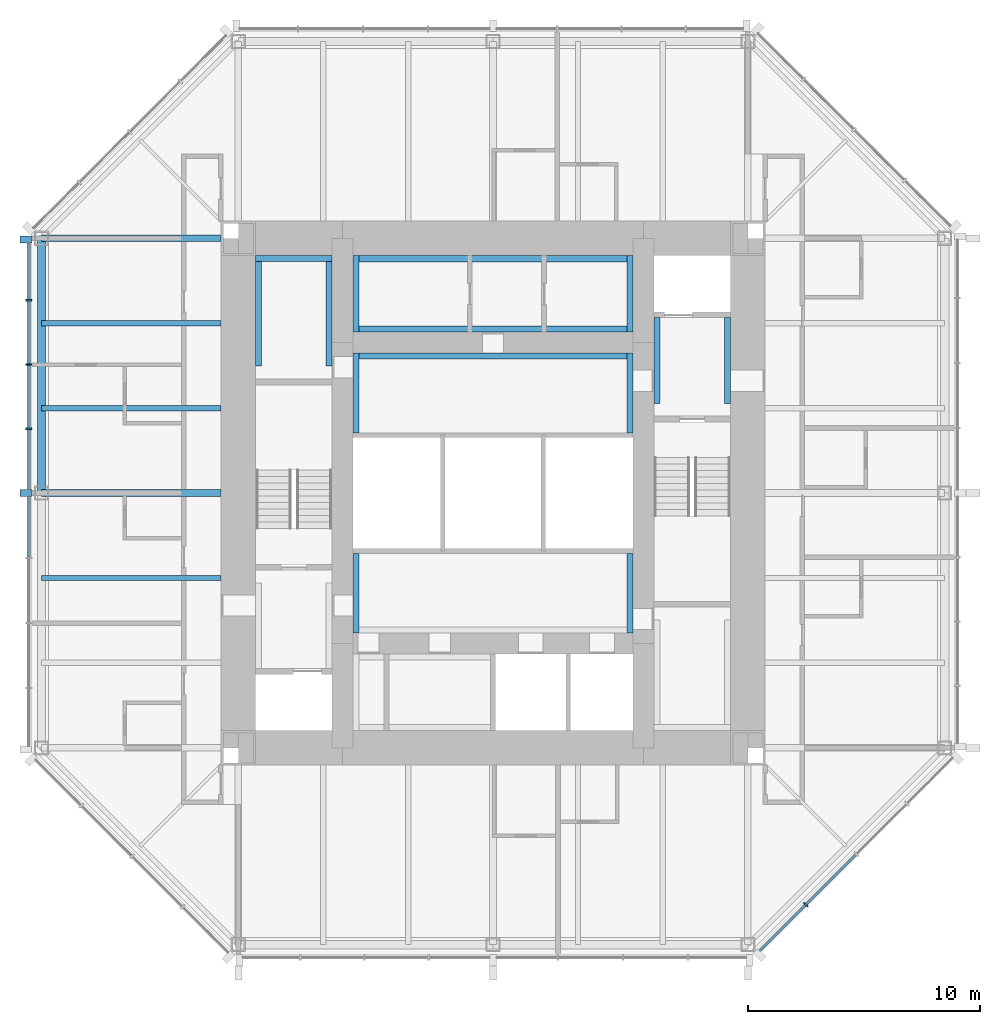
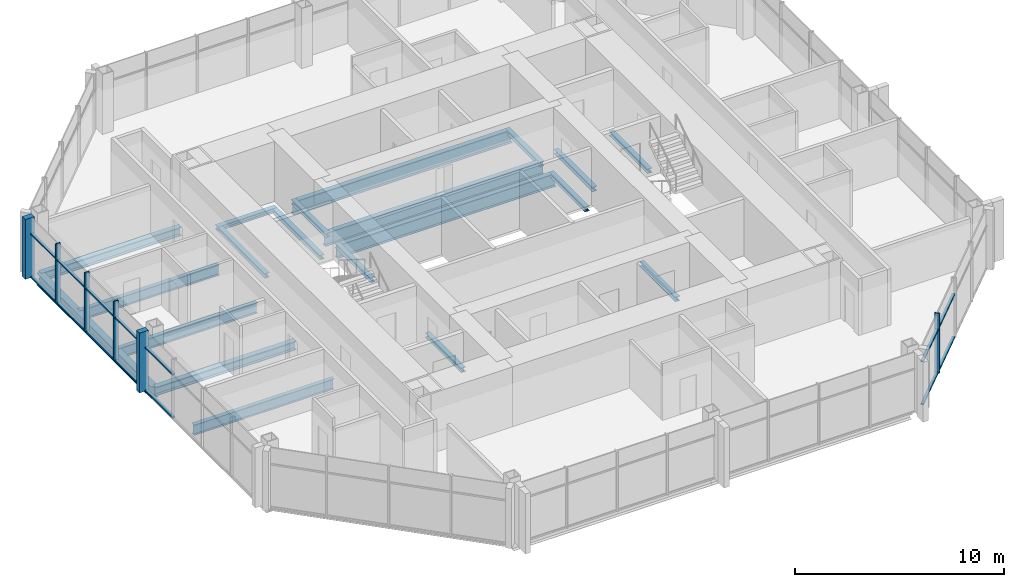
# One storey, part 3 of 11: 20 beams, 20 members, 2 elements without a shape of their own.
"""IFC4 building model written with IfcOpenShell, lengths in metres."""

from ifc_helpers import new_model, si_unit, direction, frame, origin, origin_2d, place, context, subcontext, project, spatial, rectangle, i_section, extrude, material, material_profile, profile_set, type_object, element, aggregate, save


model = new_model("IFC4")

# Units and contexts
model_context = context("Model", 3, precision=1e-05, world=origin(), true_north=direction((0.0, 1.0)))
body_context = subcontext(model_context, "Body", "Model", "MODEL_VIEW")
ifc_project = project(units=[si_unit("LENGTHUNIT", "METRE"), si_unit("AREAUNIT", "SQUARE_METRE"), si_unit("VOLUMEUNIT", "CUBIC_METRE"), si_unit("PLANEANGLEUNIT", "RADIAN"), si_unit("MASSUNIT", "GRAM", prefix="KILO")], contexts=[model_context])

# Site, building, storey
site_placement = place(None, origin())
site = spatial("IfcSite", under=ifc_project, at=site_placement, CompositionType="ELEMENT")
building_placement = place(site_placement, origin())
building = spatial("IfcBuilding", under=site, at=building_placement, Name="Trevanion Tower", CompositionType="ELEMENT")
storey_placement = place(building_placement, frame((0.0, 0.0, 243.199951171875)))
storey = spatial("IfcBuildingStorey", under=building, at=storey_placement, Name="L59", CompositionType="ELEMENT", Elevation=243.199951171875)

# Beams
ifc_material_1 = material(Name="Steel ASTM A992 Grade 50", Category="steel")
ifc_material_profile_1 = material_profile(ifc_material_1, i_section(OverallWidth=0.228271484375, OverallDepth=0.607177734375, WebThickness=0.01123046875, FlangeThickness=0.017333984375, at=origin_2d()), Name="W24X76")
ifc_profile_set_1 = profile_set([ifc_material_profile_1], Name="Steel ASTM A992 Grade 50")
beam_type_1 = type_object("IfcBeamType", Name="B11 W24X76", PredefinedType="BEAM", material=ifc_profile_set_1)
for number, where, z_axis, x_axis, name in (
    (1, (-11.75, 7.333251953125, -0.493408203125), (-1.0, 0.0, 0.0), (0.0, -1.0, 0.0), "B11 L59"),
    (2, (-11.75, 3.666748046875, -0.493408203125), (-1.0, 0.0, 0.0), (0.0, -1.0, 0.0), "B11 L59"),
    (3, (-11.75, -3.666748046875, -0.493408203125), (-1.0, 0.0, 0.0), (0.0, -1.0, 0.0), "B11 L59"),
):
    element("IfcBeam", number, at=place(storey_placement, frame(where, z_axis=z_axis, x_axis=x_axis)), inside=storey, type_object=beam_type_1, Name=name, PredefinedType="BEAM", context=body_context, shape_type="SweptSolid", body=[
        extrude(i_section(OverallWidth=0.228271484375, OverallDepth=0.607177734375, WebThickness=0.01123046875, FlangeThickness=0.017333984375, at=origin_2d()), origin(), (0.0, 0.0, 1.0), 7.75),
    ])

# Curtain wall, members
ifc_material_2 = material(Name="Aluminium and glass", Category="aluminium")
curtain_wall_type = type_object("IfcCurtainWallType", Name="CW3 curtain wall", PredefinedType="USERDEFINED", material=ifc_material_2)
curtain_wall_1_placement = place(storey_placement, origin())
curtain_wall_1 = element("IfcCurtainWall", 4, at=curtain_wall_1_placement, inside=storey, type_object=curtain_wall_type, Name="CW3 L59 4", ObjectType="UNITISED CURTAIN WALL", PredefinedType="USERDEFINED")
ifc_material_3 = material(Name="Aluminium extrusion, anodised bronze", Category="aluminium")
ifc_material_profile_2 = material_profile(ifc_material_3, rectangle(XDim=0.074951171875, YDim=0.25, at=origin_2d()), Name="CW3 mullion")
ifc_profile_set_2 = profile_set([ifc_material_profile_2], Name="Aluminium extrusion, anodised bronze")
member_type_1 = type_object("IfcMemberType", Name="CW3 mullion", PredefinedType="MULLION", material=ifc_profile_set_2)
member_1_placement = place(storey_placement, frame((-20.050048828125, 8.323486328125, -0.18994140625), z_axis=(0.0, 0.0, 1.0), x_axis=(0.0, -1.0, 0.0)))
member_1 = element("IfcMember", 5, at=member_1_placement, type_object=member_type_1, Name="CW3 mullion 2", PredefinedType="MULLION", context=body_context, shape_type="SweptSolid", body=[
    extrude(rectangle(XDim=0.074951171875, YDim=0.25, at=origin_2d()), origin(), (0.0, 0.0, 1.0), 3.5),
])
member_2_placement = place(storey_placement, frame((-20.050048828125, 5.548828125, -0.18994140625), z_axis=(0.0, 0.0, 1.0), x_axis=(0.0, -1.0, 0.0)))
member_2 = element("IfcMember", 6, at=member_2_placement, type_object=member_type_1, Name="CW3 mullion 3", PredefinedType="MULLION", context=body_context, shape_type="SweptSolid", body=[
    extrude(rectangle(XDim=0.074951171875, YDim=0.25, at=origin_2d()), origin(), (0.0, 0.0, 1.0), 3.5),
])
member_3_placement = place(storey_placement, frame((-20.050048828125, 2.7744140625, -0.18994140625), z_axis=(0.0, 0.0, 1.0), x_axis=(0.0, -1.0, 0.0)))
member_3 = element("IfcMember", 7, at=member_3_placement, type_object=member_type_1, Name="CW3 mullion 4", PredefinedType="MULLION", context=body_context, shape_type="SweptSolid", body=[
    extrude(rectangle(XDim=0.074951171875, YDim=0.25, at=origin_2d()), origin(), (0.0, 0.0, 1.0), 3.5),
])

# Curtain wall, member
curtain_wall_2_placement = place(storey_placement, origin())
curtain_wall_2 = element("IfcCurtainWall", 8, at=curtain_wall_2_placement, inside=storey, type_object=curtain_wall_type, Name="CW3 L59 7", ObjectType="UNITISED CURTAIN WALL", PredefinedType="USERDEFINED")
member_4_placement = place(storey_placement, frame((13.502197265625, -17.775390625, -0.18994140625), z_axis=(0.0, 0.0, 1.0), x_axis=(0.707106781187, 0.707106781187, 0.0)))
member_4 = element("IfcMember", 9, at=member_4_placement, type_object=member_type_1, Name="CW3 mullion 2", PredefinedType="MULLION", context=body_context, shape_type="SweptSolid", body=[
    extrude(rectangle(XDim=0.074951171875, YDim=0.25, at=origin_2d()), origin(), (0.0, 0.0, 1.0), 3.5),
])

# Member
ifc_material_4 = material(Name="Aluminium extrusion, anodised bronze", Category="aluminium")
ifc_material_profile_3 = material_profile(ifc_material_4, rectangle(XDim=0.300048828125, YDim=0.5, at=origin_2d()), Name="CW3 pier mullion")
ifc_profile_set_3 = profile_set([ifc_material_profile_3], Name="Aluminium extrusion, anodised bronze")
member_type_2 = type_object("IfcMemberType", Name="CW3 pier mullion", PredefinedType="MULLION", material=ifc_profile_set_3)
member_5_placement = place(storey_placement, frame((-20.175048828125, 10.94775390625, -0.18994140625), z_axis=(0.0, 0.0, 1.0), x_axis=(0.0, -1.0, 0.0)))
member_5 = element("IfcMember", 10, at=member_5_placement, type_object=member_type_2, Name="CW3 pier mullion 1", PredefinedType="MULLION", context=body_context, shape_type="SweptSolid", body=[
    extrude(rectangle(XDim=0.300048828125, YDim=0.5, at=origin_2d()), origin(), (0.0, 0.0, 1.0), 3.5),
])

member_6_placement = place(storey_placement, frame((-20.175048828125, 0.0, -0.18994140625), z_axis=(0.0, 0.0, 1.0), x_axis=(0.0, -1.0, 0.0)))
member_6 = element("IfcMember", 11, at=member_6_placement, type_object=member_type_2, Name="CW3 pier mullion 5", PredefinedType="MULLION", context=body_context, shape_type="SweptSolid", body=[
    extrude(rectangle(XDim=0.300048828125, YDim=0.5, at=origin_2d()), origin(), (0.0, 0.0, 1.0), 3.5),
])

ifc_material_5 = material(Name="Aluminium extrusion, anodised bronze", Category="aluminium")
ifc_material_profile_4 = material_profile(ifc_material_5, rectangle(XDim=0.14990234375, YDim=0.074951171875, at=origin_2d()), Name="CW3 transom")
ifc_profile_set_4 = profile_set([ifc_material_profile_4], Name="Aluminium extrusion, anodised bronze")
member_type_3 = type_object("IfcMemberType", Name="CW3 transom", PredefinedType="USERDEFINED", material=ifc_profile_set_4)
member_7_placement = place(storey_placement, frame((-20.050048828125, 10.7978515625, -0.15234375), z_axis=(0.0, -1.0, 0.0), x_axis=(1.0, 0.0, 0.0)))
member_7 = element("IfcMember", 12, at=member_7_placement, type_object=member_type_3, Name="CW3 transom 1.1", ObjectType="TRANSOM", PredefinedType="USERDEFINED", context=body_context, shape_type="SweptSolid", body=[
    extrude(rectangle(XDim=0.14990234375, YDim=0.074951171875, at=origin_2d()), origin(), (0.0, 0.0, 1.0), 2.43701171875),
])

member_8_placement = place(storey_placement, frame((-20.050048828125, 10.7978515625, 2.360107421875), z_axis=(0.0, -1.0, 0.0), x_axis=(1.0, 0.0, 0.0)))
member_8 = element("IfcMember", 13, at=member_8_placement, type_object=member_type_3, Name="CW3 transom 1.2", ObjectType="TRANSOM", PredefinedType="USERDEFINED", context=body_context, shape_type="SweptSolid", body=[
    extrude(rectangle(XDim=0.14990234375, YDim=0.074951171875, at=origin_2d()), origin(), (0.0, 0.0, 1.0), 2.43701171875),
])

member_9_placement = place(storey_placement, frame((-20.050048828125, 8.285888671875, -0.15234375), z_axis=(0.0, -1.0, 0.0), x_axis=(1.0, 0.0, 0.0)))
member_9 = element("IfcMember", 14, at=member_9_placement, type_object=member_type_3, Name="CW3 transom 2.1", ObjectType="TRANSOM", PredefinedType="USERDEFINED", context=body_context, shape_type="SweptSolid", body=[
    extrude(rectangle(XDim=0.14990234375, YDim=0.074951171875, at=origin_2d()), origin(), (0.0, 0.0, 1.0), 2.699462890625),
])

member_10_placement = place(storey_placement, frame((-20.050048828125, 8.285888671875, 2.360107421875), z_axis=(0.0, -1.0, 0.0), x_axis=(1.0, 0.0, 0.0)))
member_10 = element("IfcMember", 15, at=member_10_placement, type_object=member_type_3, Name="CW3 transom 2.2", ObjectType="TRANSOM", PredefinedType="USERDEFINED", context=body_context, shape_type="SweptSolid", body=[
    extrude(rectangle(XDim=0.14990234375, YDim=0.074951171875, at=origin_2d()), origin(), (0.0, 0.0, 1.0), 2.699462890625),
])

member_11_placement = place(storey_placement, frame((-20.050048828125, 5.511474609375, -0.15234375), z_axis=(0.0, -1.0, 0.0), x_axis=(1.0, 0.0, 0.0)))
member_11 = element("IfcMember", 16, at=member_11_placement, type_object=member_type_3, Name="CW3 transom 3.1", ObjectType="TRANSOM", PredefinedType="USERDEFINED", context=body_context, shape_type="SweptSolid", body=[
    extrude(rectangle(XDim=0.14990234375, YDim=0.074951171875, at=origin_2d()), origin(), (0.0, 0.0, 1.0), 2.699462890625),
])

member_12_placement = place(storey_placement, frame((-20.050048828125, 5.511474609375, 2.360107421875), z_axis=(0.0, -1.0, 0.0), x_axis=(1.0, 0.0, 0.0)))
member_12 = element("IfcMember", 17, at=member_12_placement, type_object=member_type_3, Name="CW3 transom 3.2", ObjectType="TRANSOM", PredefinedType="USERDEFINED", context=body_context, shape_type="SweptSolid", body=[
    extrude(rectangle(XDim=0.14990234375, YDim=0.074951171875, at=origin_2d()), origin(), (0.0, 0.0, 1.0), 2.699462890625),
])

member_13_placement = place(storey_placement, frame((-20.050048828125, 2.737060546875, -0.15234375), z_axis=(0.0, -1.0, 0.0), x_axis=(1.0, 0.0, 0.0)))
member_13 = element("IfcMember", 18, at=member_13_placement, type_object=member_type_3, Name="CW3 transom 4.1", ObjectType="TRANSOM", PredefinedType="USERDEFINED", context=body_context, shape_type="SweptSolid", body=[
    extrude(rectangle(XDim=0.14990234375, YDim=0.074951171875, at=origin_2d()), origin(), (0.0, 0.0, 1.0), 2.587158203125),
])

member_14_placement = place(storey_placement, frame((-20.050048828125, 2.737060546875, 2.360107421875), z_axis=(0.0, -1.0, 0.0), x_axis=(1.0, 0.0, 0.0)))
member_14 = element("IfcMember", 19, at=member_14_placement, type_object=member_type_3, Name="CW3 transom 4.2", ObjectType="TRANSOM", PredefinedType="USERDEFINED", context=body_context, shape_type="SweptSolid", body=[
    extrude(rectangle(XDim=0.14990234375, YDim=0.074951171875, at=origin_2d()), origin(), (0.0, 0.0, 1.0), 2.587158203125),
])

member_15_placement = place(storey_placement, frame((-20.050048828125, -0.14990234375, -0.15234375), z_axis=(0.0, -1.0, 0.0), x_axis=(1.0, 0.0, 0.0)))
member_15 = element("IfcMember", 20, at=member_15_placement, type_object=member_type_3, Name="CW3 transom 5.1", ObjectType="TRANSOM", PredefinedType="USERDEFINED", context=body_context, shape_type="SweptSolid", body=[
    extrude(rectangle(XDim=0.14990234375, YDim=0.074951171875, at=origin_2d()), origin(), (0.0, 0.0, 1.0), 2.619384765625),
])

member_16_placement = place(storey_placement, frame((-20.050048828125, -0.14990234375, 2.360107421875), z_axis=(0.0, -1.0, 0.0), x_axis=(1.0, 0.0, 0.0)))
member_16 = element("IfcMember", 21, at=member_16_placement, type_object=member_type_3, Name="CW3 transom 5.2", ObjectType="TRANSOM", PredefinedType="USERDEFINED", context=body_context, shape_type="SweptSolid", body=[
    extrude(rectangle(XDim=0.14990234375, YDim=0.074951171875, at=origin_2d()), origin(), (0.0, 0.0, 1.0), 2.619384765625),
])

aggregate(curtain_wall_1, [member_5, member_1, member_2, member_3, member_6, member_7, member_8, member_9, member_10, member_11, member_12, member_13, member_14, member_15, member_16])

member_17_placement = place(storey_placement, frame((11.531982421875, -19.745849609375, -0.15234375), z_axis=(0.707106781187, 0.707106781187, 0.0), x_axis=(-0.707106781187, 0.707106781187, 0.0)))
member_17 = element("IfcMember", 22, at=member_17_placement, type_object=member_type_3, Name="CW3 transom 1.1", ObjectType="TRANSOM", PredefinedType="USERDEFINED", context=body_context, shape_type="SweptSolid", body=[
    extrude(rectangle(XDim=0.14990234375, YDim=0.074951171875, at=origin_2d()), origin(), (0.0, 0.0, 1.0), 2.7490234375),
])

member_18_placement = place(storey_placement, frame((11.531982421875, -19.745849609375, 2.360107421875), z_axis=(0.707106781187, 0.707106781187, 0.0), x_axis=(-0.707106781187, 0.707106781187, 0.0)))
member_18 = element("IfcMember", 23, at=member_18_placement, type_object=member_type_3, Name="CW3 transom 1.2", ObjectType="TRANSOM", PredefinedType="USERDEFINED", context=body_context, shape_type="SweptSolid", body=[
    extrude(rectangle(XDim=0.14990234375, YDim=0.074951171875, at=origin_2d()), origin(), (0.0, 0.0, 1.0), 2.7490234375),
])

member_19_placement = place(storey_placement, frame((13.52880859375, -17.7490234375, -0.15234375), z_axis=(0.707106781187, 0.707106781187, 0.0), x_axis=(-0.707106781187, 0.707106781187, 0.0)))
member_19 = element("IfcMember", 24, at=member_19_placement, type_object=member_type_3, Name="CW3 transom 2.1", ObjectType="TRANSOM", PredefinedType="USERDEFINED", context=body_context, shape_type="SweptSolid", body=[
    extrude(rectangle(XDim=0.14990234375, YDim=0.074951171875, at=origin_2d()), origin(), (0.0, 0.0, 1.0), 3.01171875),
])

member_20_placement = place(storey_placement, frame((13.52880859375, -17.7490234375, 2.360107421875), z_axis=(0.707106781187, 0.707106781187, 0.0), x_axis=(-0.707106781187, 0.707106781187, 0.0)))
member_20 = element("IfcMember", 25, at=member_20_placement, type_object=member_type_3, Name="CW3 transom 2.2", ObjectType="TRANSOM", PredefinedType="USERDEFINED", context=body_context, shape_type="SweptSolid", body=[
    extrude(rectangle(XDim=0.14990234375, YDim=0.074951171875, at=origin_2d()), origin(), (0.0, 0.0, 1.0), 3.01171875),
])

aggregate(curtain_wall_2, [member_4, member_17, member_18, member_19, member_20])

# Beams
ifc_material_6 = material(Name="Steel ASTM A992 Grade 50", Category="steel")
ifc_material_profile_5 = material_profile(ifc_material_6, i_section(OverallWidth=0.28955078125, OverallDepth=0.508056640625, WebThickness=0.022705078125, FlangeThickness=0.040283203125, at=origin_2d()), Name="W18X175")
ifc_profile_set_5 = profile_set([ifc_material_profile_5], Name="Steel ASTM A992 Grade 50")
beam_type_2 = type_object("IfcBeamType", Name="G6 W18X175", PredefinedType="BEAM", material=ifc_profile_set_5)
for number, where, z_axis, x_axis, name in (
    (26, (-11.75, 11.0, -0.44384765625), (-1.0, 0.0, 0.0), (0.0, -1.0, 0.0), "G6 L59"),
    (27, (-11.75, 0.0, -0.44384765625), (-1.0, 0.0, 0.0), (0.0, -1.0, 0.0), "G6 L59"),
):
    element("IfcBeam", number, at=place(storey_placement, frame(where, z_axis=z_axis, x_axis=x_axis)), inside=storey, type_object=beam_type_2, Name=name, PredefinedType="BEAM", context=body_context, shape_type="SweptSolid", body=[
        extrude(i_section(OverallWidth=0.28955078125, OverallDepth=0.508056640625, WebThickness=0.022705078125, FlangeThickness=0.040283203125, at=origin_2d()), origin(), (0.0, 0.0, 1.0), 7.75),
    ])
ifc_material_7 = material(Name="Steel ASTM A992 Grade 50", Category="steel")
ifc_material_profile_6 = material_profile(ifc_material_7, i_section(OverallWidth=0.256591796875, OverallDepth=0.26416015625, WebThickness=0.011962890625, FlangeThickness=0.01953125, at=origin_2d()), Name="W10X68")
ifc_profile_set_6 = profile_set([ifc_material_profile_6], Name="Steel ASTM A992 Grade 50")
beam_type_3 = type_object("IfcBeamType", Name="LB1 W10X68", PredefinedType="BEAM", material=ifc_profile_set_6)
for number, where, z_axis, x_axis, name in (
    (28, (-5.921630859375, 2.60009765625, -0.33203125), (0.0, 1.0, 0.0), (-1.0, 0.0, 0.0), "LB1 L59"),
    (29, (5.921630859375, 2.60009765625, -0.33203125), (0.0, 1.0, 0.0), (-1.0, 0.0, 0.0), "LB1 L59"),
    (30, (-5.921630859375, -6.050048828125, -0.33203125), (0.0, 1.0, 0.0), (-1.0, 0.0, 0.0), "LB1 L59"),
    (31, (5.921630859375, -6.050048828125, -0.33203125), (0.0, 1.0, 0.0), (-1.0, 0.0, 0.0), "LB1 L59"),
):
    element("IfcBeam", number, at=place(storey_placement, frame(where, z_axis=z_axis, x_axis=x_axis)), inside=storey, type_object=beam_type_3, Name=name, PredefinedType="BEAM", context=body_context, shape_type="SweptSolid", body=[
        extrude(i_section(OverallWidth=0.256591796875, OverallDepth=0.26416015625, WebThickness=0.011962890625, FlangeThickness=0.01953125, at=origin_2d()), origin(), (0.0, 0.0, 1.0), 3.449951171875),
    ])
for number, where, z_axis, x_axis, name in (
    (32, (7.078369140625, 3.875, -0.33203125), (0.0, 1.0, 0.0), (-1.0, 0.0, 0.0), "LB1 L59"),
    (33, (10.12158203125, 3.875, -0.33203125), (0.0, 1.0, 0.0), (-1.0, 0.0, 0.0), "LB1 L59"),
):
    element("IfcBeam", number, at=place(storey_placement, frame(where, z_axis=z_axis, x_axis=x_axis)), inside=storey, type_object=beam_type_3, Name=name, PredefinedType="BEAM", context=body_context, shape_type="SweptSolid", body=[
        extrude(i_section(OverallWidth=0.256591796875, OverallDepth=0.26416015625, WebThickness=0.011962890625, FlangeThickness=0.01953125, at=origin_2d()), origin(), (0.0, 0.0, 1.0), 3.699951171875),
    ])
for number, where, z_axis, x_axis, name in (
    (34, (-10.12158203125, 5.47509765625, -0.33203125), (0.0, 1.0, 0.0), (-1.0, 0.0, 0.0), "LB1 L59"),
    (35, (-7.078369140625, 5.47509765625, -0.33203125), (0.0, 1.0, 0.0), (-1.0, 0.0, 0.0), "LB1 L59"),
):
    element("IfcBeam", number, at=place(storey_placement, frame(where, z_axis=z_axis, x_axis=x_axis)), inside=storey, type_object=beam_type_3, Name=name, PredefinedType="BEAM", context=body_context, shape_type="SweptSolid", body=[
        extrude(i_section(OverallWidth=0.256591796875, OverallDepth=0.26416015625, WebThickness=0.011962890625, FlangeThickness=0.01953125, at=origin_2d()), origin(), (0.0, 0.0, 1.0), 4.77490234375),
    ])
for number, where, z_axis, x_axis, name in (
    (36, (-10.25, 10.12158203125, -0.33203125), (1.0, 0.0, 0.0), (0.0, 1.0, 0.0), "LB1 L59"),
    (37, (-5.921630859375, 6.949951171875, -0.33203125), (0.0, 1.0, 0.0), (-1.0, 0.0, 0.0), "LB1 L59"),
    (38, (5.921630859375, 6.949951171875, -0.33203125), (0.0, 1.0, 0.0), (-1.0, 0.0, 0.0), "LB1 L59"),
):
    element("IfcBeam", number, at=place(storey_placement, frame(where, z_axis=z_axis, x_axis=x_axis)), inside=storey, type_object=beam_type_3, Name=name, PredefinedType="BEAM", context=body_context, shape_type="SweptSolid", body=[
        extrude(i_section(OverallWidth=0.256591796875, OverallDepth=0.26416015625, WebThickness=0.011962890625, FlangeThickness=0.01953125, at=origin_2d()), origin(), (0.0, 0.0, 1.0), 3.300048828125),
    ])
ifc_material_8 = material(Name="Steel ASTM A992 Grade 50", Category="steel")
ifc_material_profile_7 = material_profile(ifc_material_8, i_section(OverallWidth=0.2666015625, OverallDepth=0.76953125, WebThickness=0.015625, FlangeThickness=0.025390625, at=origin_2d()), Name="W30X132")
ifc_profile_set_7 = profile_set([ifc_material_profile_7], Name="Steel ASTM A992 Grade 50")
beam_type_4 = type_object("IfcBeamType", Name="LB3 W30X132", PredefinedType="BEAM", material=ifc_profile_set_7)
for number, where, z_axis, x_axis, name in (
    (39, (-6.050048828125, 5.91650390625, -0.584716796875), (1.0, 0.0, 0.0), (0.0, 1.0, 0.0), "LB3 L59"),
    (40, (-6.050048828125, 7.08349609375, -0.584716796875), (1.0, 0.0, 0.0), (0.0, 1.0, 0.0), "LB3 L59"),
    (41, (-6.050048828125, 10.11669921875, -0.584716796875), (1.0, 0.0, 0.0), (0.0, 1.0, 0.0), "LB3 L59"),
):
    element("IfcBeam", number, at=place(storey_placement, frame(where, z_axis=z_axis, x_axis=x_axis)), inside=storey, type_object=beam_type_4, Name=name, PredefinedType="BEAM", context=body_context, shape_type="SweptSolid", body=[
        extrude(i_section(OverallWidth=0.2666015625, OverallDepth=0.76953125, WebThickness=0.015625, FlangeThickness=0.025390625, at=origin_2d()), origin(), (0.0, 0.0, 1.0), 12.10009765625),
    ])
ifc_material_9 = material(Name="Steel ASTM A992 Grade 50", Category="steel")
ifc_material_profile_8 = material_profile(ifc_material_9, i_section(OverallWidth=0.355712890625, OverallDepth=0.696044921875, WebThickness=0.015380859375, FlangeThickness=0.024658203125, at=origin_2d()), Name="W27X146")
ifc_profile_set_8 = profile_set([ifc_material_profile_8], Name="Steel ASTM A992 Grade 50")
beam_type_5 = type_object("IfcBeamType", Name="SB8 W27X146", PredefinedType="SPANDREL", material=ifc_profile_set_8)
beam_placement = place(storey_placement, frame((-19.5, 11.0, -0.537841796875), z_axis=(0.0, -1.0, 0.0), x_axis=(1.0, 0.0, 0.0)))
element("IfcBeam", 42, at=beam_placement, inside=storey, type_object=beam_type_5, Name="SB8 L59", PredefinedType="SPANDREL", context=body_context, shape_type="SweptSolid", body=[
    extrude(i_section(OverallWidth=0.355712890625, OverallDepth=0.696044921875, WebThickness=0.015380859375, FlangeThickness=0.024658203125, at=origin_2d()), origin(), (0.0, 0.0, 1.0), 11.0),
])

save(model, "model.ifc")
